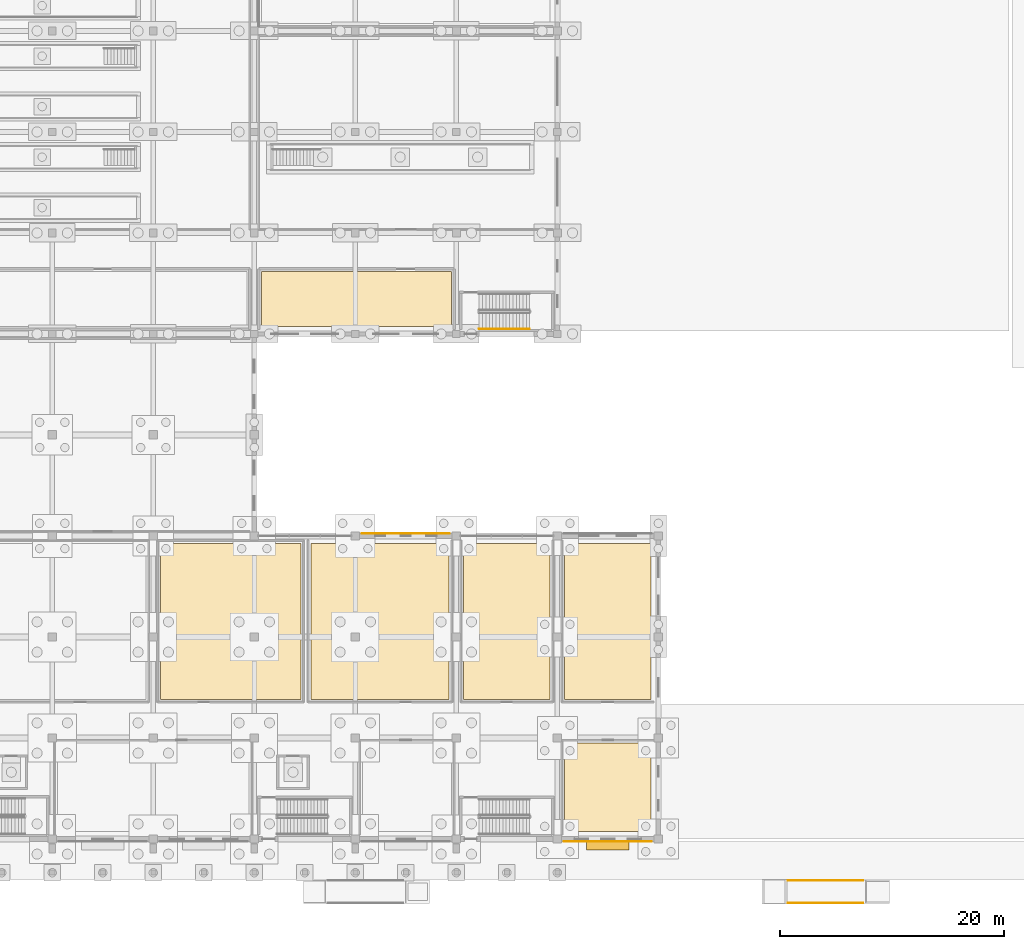
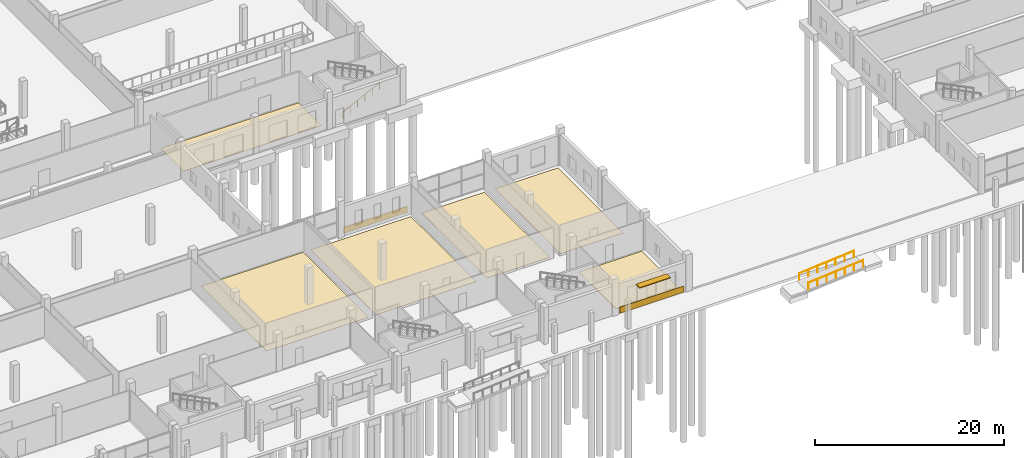
# One storey, part 96 of 112: 8 coverings, 3 railings, 1 shading device.
"""IFC4 building model written with IfcOpenShell, lengths in metres."""

import ifcopenshell
import ifcopenshell.guid

model = None  # the IFC model being written
_history = None  # IfcOwnerHistory: only IFC2X3 demands one
_inside = {}  # id of a spatial element -> (the spatial element, [elements in it])
_under = {}  # id of a project, library or spatial element -> (it, [spatial elements below it])
_declared = {}  # id of a project -> (the project, [libraries it declares])
_typed = {}  # id of a type object -> (the type object, [elements of that type])
_made_of = {}  # id of a material, layer set ... -> (it, [elements and type objects made of it])


def new_model(schema):
    """Start an empty IFC model of exactly this schema.

    Asked for "IFC4X3", IfcOpenShell would pick the latest addendum, in which some entities
    have other attributes; the version numbers below select the first issue.
    IFC2X3 requires an IfcOwnerHistory on every rooted entity: one is made here for all.
    """
    global model, _history
    if schema == "IFC4X3":
        model = ifcopenshell.file(schema_version=(4, 3, 0, 0))
    else:
        model = ifcopenshell.file(schema=schema)
    _inside.clear()
    _under.clear()
    _declared.clear()
    _typed.clear()
    _made_of.clear()
    _history = None
    if model.schema == "IFC2X3":
        org = make("IfcOrganization", Name="unknown")
        user = make(
            "IfcPersonAndOrganization",
            ThePerson=make("IfcPerson", FamilyName="unknown"),
            TheOrganization=org,
        )
        app = make(
            "IfcApplication",
            ApplicationDeveloper=org,
            Version="unknown",
            ApplicationFullName="unknown",
            ApplicationIdentifier="unknown",
        )
        _history = make(
            "IfcOwnerHistory",
            OwningUser=user,
            OwningApplication=app,
            ChangeAction="ADDED",
            CreationDate=0,
        )
    return model


def make(cls, **values):
    """One entity of the class cls with the attributes given. An attribute that is None is left unset."""
    return model.create_entity(
        cls, **{name: value for name, value in values.items() if value is not None}
    )


def rooted(cls, **values):
    """An entity with a GlobalId (a new one), such as an element, a storey or a relation."""
    return make(cls, GlobalId=ifcopenshell.guid.new(), OwnerHistory=_history, **values)


def si_unit(unit_type, name, prefix=None):
    """IfcSIUnit, for example si_unit("LENGTHUNIT", "METRE", prefix="MILLI")."""
    return make("IfcSIUnit", UnitType=unit_type, Prefix=prefix, Name=name)


def assignment(units):
    """IfcUnitAssignment: the units of a project."""
    return None if units is None else make("IfcUnitAssignment", Units=units)


def point(xyz):
    """IfcCartesianPoint."""
    return None if xyz is None else make("IfcCartesianPoint", Coordinates=xyz)


def direction(xyz):
    """IfcDirection."""
    return None if xyz is None else make("IfcDirection", DirectionRatios=xyz)


def frame(location, z_axis=None, x_axis=None):
    """IfcAxis2Placement3D, a coordinate frame: its origin and axes. An axis left out is left unset."""
    return make(
        "IfcAxis2Placement3D",
        Location=point(location),
        Axis=direction(z_axis),
        RefDirection=direction(x_axis),
    )


def frame_2d(location, x_axis=None):
    """IfcAxis2Placement2D, a coordinate frame in the plane: its origin and x axis."""
    return make(
        "IfcAxis2Placement2D", Location=point(location), RefDirection=direction(x_axis)
    )


def origin():
    """The frame at (0, 0, 0) with its axes left unset."""
    return frame((0.0, 0.0, 0.0))


def origin_2d():
    """The frame at (0, 0) in the plane with its x axis left unset."""
    return frame_2d((0.0, 0.0))


def place(relative_to, where):
    """IfcLocalPlacement: puts the frame where relative to a parent placement (None: the world)."""
    return make(
        "IfcLocalPlacement", PlacementRelTo=relative_to, RelativePlacement=where
    )


def context(
    kind, dimensions, precision=None, world=None, true_north=None, identifier=None
):
    """IfcGeometricRepresentationContext, for example the 3D "Model" context."""
    return make(
        "IfcGeometricRepresentationContext",
        ContextIdentifier=identifier,
        ContextType=kind,
        CoordinateSpaceDimension=dimensions,
        Precision=precision,
        WorldCoordinateSystem=world,
        TrueNorth=true_north,
    )


def subcontext(parent, identifier, kind, view, scale=None):
    """IfcGeometricRepresentationSubContext, for example "Body" below "Model"."""
    return make(
        "IfcGeometricRepresentationSubContext",
        ContextIdentifier=identifier,
        ContextType=kind,
        ParentContext=parent,
        TargetScale=scale,
        TargetView=view,
    )


def project(units=None, contexts=None):
    """IfcProject with its units and contexts."""
    return rooted(
        "IfcProject",
        Name="project",
        RepresentationContexts=contexts,
        UnitsInContext=assignment(units),
    )


def spatial(cls, under=None, at=None, **own):
    """A site, building, storey or space (cls), placed at a placement, below another one or the project."""
    s = rooted(cls, ObjectPlacement=at, **own)
    if under is not None:
        _under.setdefault(under.id(), (under, []))[1].append(s)
    return s


def polyline(points):
    """IfcPolyline through the points."""
    return make("IfcPolyline", Points=[point(p) for p in points])


def profile(cls, at=None, kind="AREA", **sizes):
    """A parametric profile (cls). Its sizes go by their IFC names, for example OverallWidth=200.0."""
    return make(cls, ProfileType=kind, Position=at, **sizes)


def rectangle(**sizes):
    """IfcRectangleProfileDef."""
    return profile("IfcRectangleProfileDef", **sizes)


def circle(**sizes):
    """IfcCircleProfileDef."""
    return profile("IfcCircleProfileDef", **sizes)


def outline(outer, holes=None, kind="AREA"):
    """IfcArbitraryClosedProfileDef: a profile drawn as a closed curve; with holes, ...WithVoids."""
    if holes is None:
        return make("IfcArbitraryClosedProfileDef", ProfileType=kind, OuterCurve=outer)
    return make(
        "IfcArbitraryProfileDefWithVoids",
        ProfileType=kind,
        OuterCurve=outer,
        InnerCurves=holes,
    )


def extrude(swept, where, along, depth):
    """IfcExtrudedAreaSolid: the profile swept, set in the frame where, extruded along a direction by depth."""
    return make(
        "IfcExtrudedAreaSolid",
        SweptArea=swept,
        Position=where,
        ExtrudedDirection=direction(along),
        Depth=depth,
    )


def shape(context_of_items, identifier, shape_type, items):
    """IfcShapeRepresentation: the items that make up one representation, for example the "Body"."""
    return make(
        "IfcShapeRepresentation",
        ContextOfItems=context_of_items,
        RepresentationIdentifier=identifier,
        RepresentationType=shape_type,
        Items=items,
    )


def material(Name=None, Category=None):
    """IfcMaterial."""
    return make("IfcMaterial", Name=Name, Category=Category)


def layer(
    of_material, thickness, ventilated=None, Name=None, Category=None, Priority=None
):
    """IfcMaterialLayer: one layer of a wall or slab, of a material (None: an air gap)."""
    return make(
        "IfcMaterialLayer",
        Material=of_material,
        LayerThickness=thickness,
        IsVentilated=ventilated,
        Name=Name,
        Category=Category,
        Priority=Priority,
    )


def layer_set(layers, Name=None):
    """IfcMaterialLayerSet."""
    return make("IfcMaterialLayerSet", MaterialLayers=layers, LayerSetName=Name)


def made_of(thing, what):
    """Note that an element or type object is made of a material, layer set ...; save() writes the relation."""
    if what is not None:
        _made_of.setdefault(what.id(), (what, []))[1].append(thing)
    return thing


def type_object(cls, material=None, **own):
    """A type object (cls), such as IfcWallType, which elements share."""
    return made_of(rooted(cls, **own), material)


def element(
    cls,
    number,
    at=None,
    inside=None,
    cuts=None,
    type_object=None,
    material=None,
    context=None,
    identifier="Body",
    shape_type=None,
    held_by="IfcProductDefinitionShape",
    body=None,
    shapes=None,
    **own,
):
    """One element of the class cls, such as IfcWall. Its Tag is "e" and its number.

    at: its placement. inside: the storey or other place that contains it. cuts: it is an
    opening in that element (IfcRelVoidsElement). A single representation is given by context,
    identifier, shape_type and body (its items); several are given by shapes. held_by: the class
    of the entity that holds the representations. save() writes the other relations.
    """
    e = rooted(cls, Tag="e%d" % number, ObjectPlacement=at, **own)
    if body is not None:
        shapes = [shape(context, identifier, shape_type, body)]
    if shapes is not None:
        e.Representation = make(held_by, Representations=shapes)
    if inside is not None:
        _inside.setdefault(inside.id(), (inside, []))[1].append(e)
    if cuts is not None:
        rooted(
            "IfcRelVoidsElement", RelatingBuildingElement=cuts, RelatedOpeningElement=e
        )
    if type_object is not None:
        _typed.setdefault(type_object.id(), (type_object, []))[1].append(e)
    return made_of(e, material)


def aggregate(whole, parts):
    """IfcRelAggregates: a whole, such as a stair, and the parts it consists of."""
    return rooted("IfcRelAggregates", RelatingObject=whole, RelatedObjects=parts)


def save(model, path):
    """Write the relations noted so far, then the file.

    IfcRelAggregates (storeys below a building ...), IfcRelContainedInSpatialStructure (elements
    in a storey), IfcRelDefinesByType, IfcRelAssociatesMaterial and IfcRelDeclares: one each for
    every whole, place, type object, material and project.
    """
    for whole, parts in _under.values():
        aggregate(whole, parts)
    for where, things in _inside.values():
        rooted(
            "IfcRelContainedInSpatialStructure",
            RelatedElements=things,
            RelatingStructure=where,
        )
    for kind, things in _typed.values():
        rooted("IfcRelDefinesByType", RelatedObjects=things, RelatingType=kind)
    for what, things in _made_of.values():
        rooted("IfcRelAssociatesMaterial", RelatedObjects=things, RelatingMaterial=what)
    for by, libraries in _declared.values():
        rooted("IfcRelDeclares", RelatingContext=by, RelatedDefinitions=libraries)
    model.write(path)


model = new_model("IFC4")

# Units and contexts
model_context = context("Model", 3, precision=1e-05, world=origin(), true_north=direction((0.0, 1.0)))
body_context = subcontext(model_context, "Body", "Model", "MODEL_VIEW")
ifc_project = project(units=[si_unit("LENGTHUNIT", "METRE"), si_unit("AREAUNIT", "SQUARE_METRE"), si_unit("VOLUMEUNIT", "CUBIC_METRE"), si_unit("PLANEANGLEUNIT", "RADIAN"), si_unit("MASSUNIT", "GRAM", prefix="KILO")], contexts=[model_context])

# Site, building, storey
site_placement = place(None, origin())
site = spatial("IfcSite", under=ifc_project, at=site_placement, CompositionType="ELEMENT")
building_placement = place(site_placement, origin())
building = spatial("IfcBuilding", under=site, at=building_placement, Name="Tharagai Park Tramway Depot", CompositionType="ELEMENT")
storey_placement = place(building_placement, origin())
storey = spatial("IfcBuildingStorey", under=building, at=storey_placement, Name="L00", CompositionType="ELEMENT", Elevation=0.0)

# Coverings
ifc_material_1 = material(Name="Charnockite stone", Category="masonry")
ifc_layer_1 = layer(ifc_material_1, 0.0400390625)
ifc_layer_set_1 = layer_set([ifc_layer_1], Name="Charnockite stone")
covering_type_1 = type_object("IfcCoveringType", Name="CV-02", PredefinedType="CLADDING", material=ifc_layer_set_1)
for number, where, z_axis, x_axis, name in (
    (1, (94.5, -0.22509765625, 0.02001953125), (0.0, 0.0, 1.0), (1.0, 0.0, 0.0), "Charnockite Plinth Cladding CV-02 #6"),
    (2, (76.5, 27.22509765625, 0.02001953125), (0.0, 0.0, 1.0), (1.0, 0.0, 0.0), "Charnockite Plinth Cladding CV-02 #11"),
):
    element("IfcCovering", number, at=place(storey_placement, frame(where, z_axis=z_axis, x_axis=x_axis)), inside=storey, type_object=covering_type_1, Name=name, PredefinedType="CLADDING", context=body_context, shape_type="SweptSolid", body=[
        extrude(rectangle(XDim=7.85400390625, YDim=0.0400390625, at=origin_2d()), origin(), (0.0, 0.0, 1.0), 0.800048828125),
    ])
ifc_material_2 = material(Name="Terracotta floor tile", Category="masonry")
ifc_layer_2 = layer(ifc_material_2, 0.02001953125)
ifc_layer_set_2 = layer_set([ifc_layer_2], Name="Terracotta floor tile")
covering_type_2 = type_object("IfcCoveringType", Name="FN-01", PredefinedType="FLOORING", material=ifc_layer_set_2)
covering_1_placement = place(storey_placement, origin())
element("IfcCovering", 3, at=covering_1_placement, inside=storey, type_object=covering_type_2, Name="Depot Security and Lost Property Reception Floor Finish", PredefinedType="FLOORING", context=body_context, shape_type="SweptSolid", body=[
    extrude(outline(polyline([(90.64990234375, 0.64990234375), (98.35009765625, 0.64990234375), (98.35009765625, 8.550048828125), (90.64990234375, 8.550048828125), (90.64990234375, 0.64990234375)])), origin(), (0.0, 0.0, 1.0), 0.02001953125),
])
covering_2_placement = place(storey_placement, origin())
element("IfcCovering", 4, at=covering_2_placement, inside=storey, type_object=covering_type_2, Name="Ground Male WC Floor Finish", PredefinedType="FLOORING", context=body_context, shape_type="SweptSolid", body=[
    extrude(outline(polyline([(54.64990234375, 12.449951171875), (67.14990234375, 12.449951171875), (67.14990234375, 26.35009765625), (54.64990234375, 26.35009765625), (54.64990234375, 12.449951171875)])), origin(), (0.0, 0.0, 1.0), 0.02001953125),
])
covering_3_placement = place(storey_placement, origin())
element("IfcCovering", 5, at=covering_3_placement, inside=storey, type_object=covering_type_2, Name="Ground Female WC Floor Finish", PredefinedType="FLOORING", context=body_context, shape_type="SweptSolid", body=[
    extrude(outline(polyline([(68.050048828125, 12.449951171875), (80.35009765625, 12.449951171875), (80.35009765625, 26.35009765625), (68.050048828125, 26.35009765625), (68.050048828125, 12.449951171875)])), origin(), (0.0, 0.0, 1.0), 0.02001953125),
])
covering_4_placement = place(storey_placement, origin())
element("IfcCovering", 6, at=covering_4_placement, inside=storey, type_object=covering_type_2, Name="Ground Accessible WC Floor Finish", PredefinedType="FLOORING", context=body_context, shape_type="SweptSolid", body=[
    extrude(outline(polyline([(81.64990234375, 12.449951171875), (89.35009765625, 12.449951171875), (89.35009765625, 26.35009765625), (81.64990234375, 26.35009765625), (81.64990234375, 12.449951171875)])), origin(), (0.0, 0.0, 1.0), 0.02001953125),
])
covering_5_placement = place(storey_placement, origin())
element("IfcCovering", 7, at=covering_5_placement, inside=storey, type_object=covering_type_2, Name="Staff Cycle Store and Drying Room Floor Finish", PredefinedType="FLOORING", context=body_context, shape_type="SweptSolid", body=[
    extrude(outline(polyline([(90.64990234375, 12.449951171875), (98.35009765625, 12.449951171875), (98.35009765625, 26.35009765625), (90.64990234375, 26.35009765625), (90.64990234375, 12.449951171875)])), origin(), (0.0, 0.0, 1.0), 0.02001953125),
])
ifc_material_3 = material(Name="Epoxy industrial flooring", Category="plastic")
ifc_layer_3 = layer(ifc_material_3, 0.014892578125)
ifc_layer_set_3 = layer_set([ifc_layer_3], Name="Epoxy industrial flooring")
covering_type_3 = type_object("IfcCoveringType", Name="FN-03", PredefinedType="FLOORING", material=ifc_layer_set_3)
covering_6_placement = place(storey_placement, origin())
element("IfcCovering", 8, at=covering_6_placement, inside=storey, type_object=covering_type_3, Name="Compressed Air and Vacuum Plant Room Floor Finish", PredefinedType="FLOORING", context=body_context, shape_type="SweptSolid", body=[
    extrude(outline(polyline([(63.64990234375, 45.64990234375), (80.550048828125, 45.64990234375), (80.550048828125, 50.550048828125), (63.64990234375, 50.550048828125), (63.64990234375, 45.64990234375)])), origin(), (0.0, 0.0, 1.0), 0.014892578125),
])

# Railings
ifc_material_4 = material(Name="Galvanised steel", Category="steel")
railing_type_1 = type_object("IfcRailingType", Name="GR-02", PredefinedType="HANDRAIL", material=ifc_material_4)
for number, where, name in (
    (9, (110.550048828125, -3.7099609375, -0.5791015625), "Ramp RMP-05 Handrail L"),
    (10, (110.550048828125, -5.68994140625, -0.5791015625), "Ramp RMP-05 Handrail R"),
):
    element("IfcRailing", number, at=place(storey_placement, frame(where)), inside=storey, type_object=railing_type_1, Name=name, PredefinedType="HANDRAIL", context=body_context, shape_type="SweptSolid", body=[
        extrude(circle(Radius=0.02392578125, at=origin_2d()), frame((0.0, 0.0, 0.89599609375), z_axis=(0.996545507804, 0.0, 0.083048485091), x_axis=(0.0, 1.0, 0.0)), (0.0, 0.0, 1.0), 6.72314453125),
        extrude(circle(Radius=0.02099609375, at=origin_2d()), origin(), (0.0, 0.0, 1.0), 0.871826171875),
        extrude(circle(Radius=0.02099609375, at=origin_2d()), frame((1.11669921875, 0.0, 0.093017578125)), (0.0, 0.0, 1.0), 0.871826171875),
        extrude(circle(Radius=0.02099609375, at=origin_2d()), frame((2.2333984375, 0.0, 0.18603515625)), (0.0, 0.0, 1.0), 0.871826171875),
        extrude(circle(Radius=0.02099609375, at=origin_2d()), frame((3.35009765625, 0.0, 0.279296875)), (0.0, 0.0, 1.0), 0.871826171875),
        extrude(circle(Radius=0.02099609375, at=origin_2d()), frame((4.466552734375, 0.0, 0.372314453125)), (0.0, 0.0, 1.0), 0.871826171875),
        extrude(circle(Radius=0.02099609375, at=origin_2d()), frame((5.583251953125, 0.0, 0.46533203125)), (0.0, 0.0, 1.0), 0.871826171875),
        extrude(circle(Radius=0.02099609375, at=origin_2d()), frame((6.699951171875, 0.0, 0.558349609375)), (0.0, 0.0, 1.0), 0.871826171875),
    ])
railing_type_2 = type_object("IfcRailingType", Name="HR-03", PredefinedType="HANDRAIL", material=ifc_material_4)
railing_placement = place(storey_placement, frame((83.0400390625, 45.449951171875, 0.14990234375)))
element("IfcRailing", 11, at=railing_placement, inside=storey, type_object=railing_type_2, Name="L00 ST-09 stair handrail 1", PredefinedType="HANDRAIL", context=body_context, shape_type="SweptSolid", body=[
    extrude(circle(Radius=0.02392578125, at=origin_2d()), frame((0.0, 0.0, 0.8759765625), z_axis=(0.894427191, 0.0, 0.4472135955), x_axis=(0.0, 1.0, 0.0)), (0.0, 0.0, 1.0), 5.03125),
    extrude(circle(Radius=0.02099609375, at=origin_2d()), origin(), (0.0, 0.0, 1.0), 0.851806640625),
    extrude(circle(Radius=0.02099609375, at=origin_2d()), frame((0.89990234375, 0.0, 0.449951171875)), (0.0, 0.0, 1.0), 0.851806640625),
    extrude(circle(Radius=0.02099609375, at=origin_2d()), frame((1.800048828125, 0.0, 0.89990234375)), (0.0, 0.0, 1.0), 0.851806640625),
    extrude(circle(Radius=0.02099609375, at=origin_2d()), frame((2.699951171875, 0.0, 1.35009765625)), (0.0, 0.0, 1.0), 0.851806640625),
    extrude(circle(Radius=0.02099609375, at=origin_2d()), frame((3.60009765625, 0.0, 1.800048828125)), (0.0, 0.0, 1.0), 0.851806640625),
    extrude(circle(Radius=0.02099609375, at=origin_2d()), frame((4.5, 0.0, 2.25)), (0.0, 0.0, 1.0), 0.851806640625),
])

# Shading device
ifc_material_5 = material(Name="Anodised aluminium", Category="aluminium")
ifc_layer_4 = layer(ifc_material_5, 0.080078125)
ifc_layer_set_4 = layer_set([ifc_layer_4], Name="Anodised aluminium")
shading_device_type = type_object("IfcShadingDeviceType", Name="SD-04", PredefinedType="AWNING", material=ifc_layer_set_4)
shading_device_placement = place(storey_placement, frame((94.5, -0.580078125, 3.010009765625), z_axis=(0.0, 0.0, 1.0), x_axis=(1.0, 0.0, 0.0)))
element("IfcShadingDevice", 12, at=shading_device_placement, inside=storey, type_object=shading_device_type, Name="Entrance Monsoon Canopy Awning SD-04 #6", PredefinedType="AWNING", context=body_context, shape_type="SweptSolid", body=[
    extrude(rectangle(XDim=3.800048828125, YDim=0.780029296875, at=origin_2d()), origin(), (0.0, 0.0, 1.0), 0.080078125),
])

save(model, "model.ifc")
